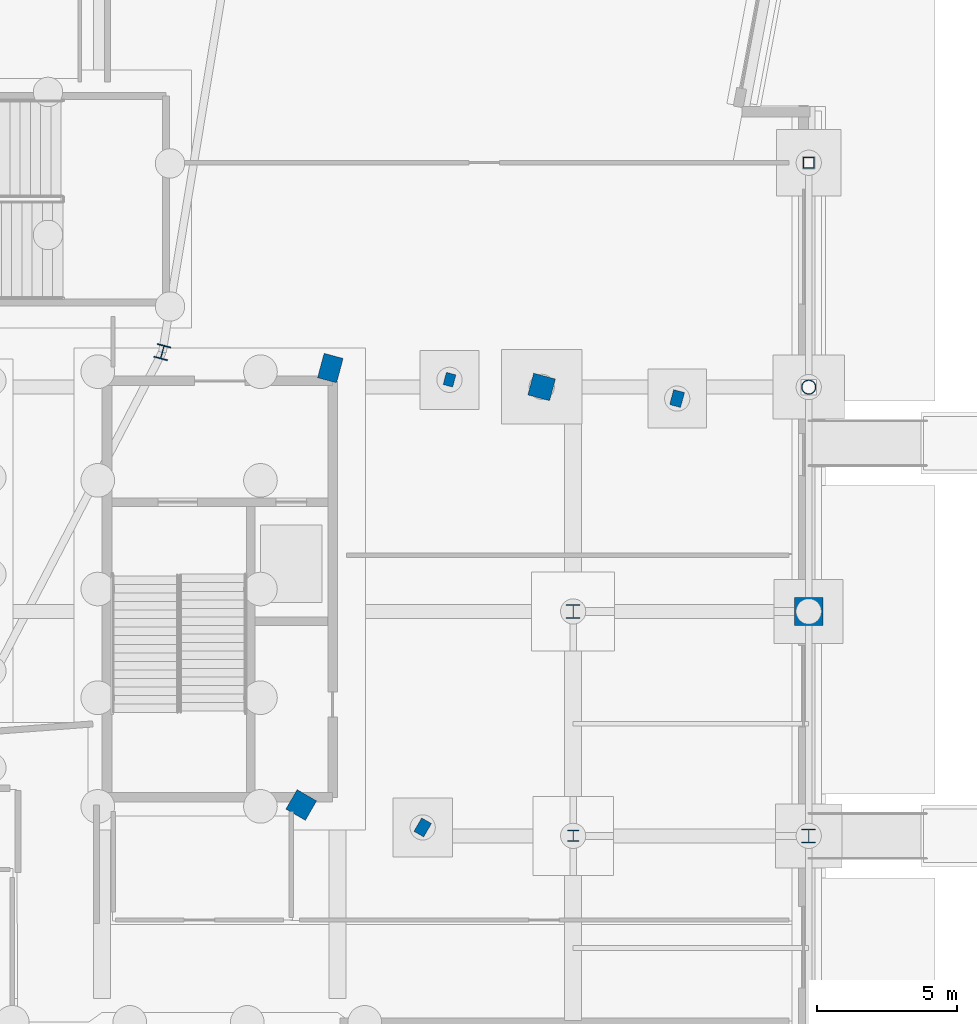
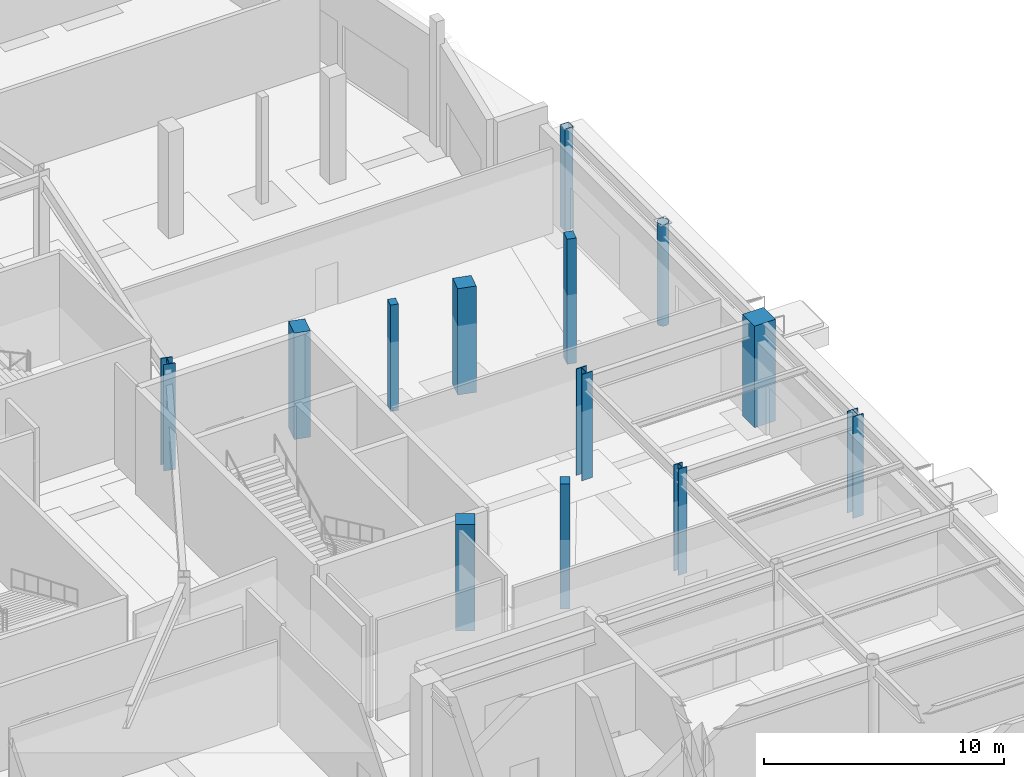
# One storey, part 29 of 93: 13 columns.
"""IFC4 building model written with IfcOpenShell, lengths in metres."""

from ifc_helpers import new_model, si_unit, direction, frame, origin, origin_2d, place, context, subcontext, project, spatial, rectangle, hollow_rectangle, hollow_circle, i_section, extrude, material, material_profile, profile_set, type_object, element, save


model = new_model("IFC4")

# Units and contexts
model_context = context("Model", 3, precision=1e-05, world=origin(), true_north=direction((0.0, 1.0)))
body_context = subcontext(model_context, "Body", "Model", "MODEL_VIEW")
ifc_project = project(units=[si_unit("LENGTHUNIT", "METRE"), si_unit("AREAUNIT", "SQUARE_METRE"), si_unit("VOLUMEUNIT", "CUBIC_METRE"), si_unit("PLANEANGLEUNIT", "RADIAN"), si_unit("MASSUNIT", "GRAM", prefix="KILO")], contexts=[model_context])

# Site, building, storey
site_placement = place(None, origin())
site = spatial("IfcSite", under=ifc_project, at=site_placement, CompositionType="ELEMENT")
building_placement = place(site_placement, origin())
building = spatial("IfcBuilding", under=site, at=building_placement, Name="Kalgoora Escarpment Arena", CompositionType="ELEMENT")
storey_placement = place(building_placement, origin())
storey = spatial("IfcBuildingStorey", under=building, at=storey_placement, Name="L00", CompositionType="ELEMENT", Elevation=0.0)

# Columns
ifc_material_1 = material(Name="Structural steel Grade 350 (350 MPa)", Category="steel")
ifc_material_profile_1 = material_profile(ifc_material_1, i_section(OverallWidth=0.39990234375, OverallDepth=0.39990234375, WebThickness=0.01806640625, FlangeThickness=0.031982421875, at=origin_2d()))
ifc_profile_set_1 = profile_set([ifc_material_profile_1], Name="Structural steel Grade 350 (350 MPa)")
column_type_1 = type_object("IfcColumnType", Name="COL-COL-400WC270", PredefinedType="COLUMN", material=ifc_profile_set_1)
column_1_placement = place(storey_placement, frame((176.39990234375, 32.0, 0.0), z_axis=(0.0, 0.0, 1.0), x_axis=(1.0, 0.0, 0.0)))
element("IfcColumn", 1, at=column_1_placement, inside=storey, type_object=column_type_1, Name="L00 structural column COL-G22-E", PredefinedType="COLUMN", context=body_context, shape_type="SweptSolid", body=[
    extrude(i_section(OverallWidth=0.39990234375, OverallDepth=0.39990234375, WebThickness=0.01806640625, FlangeThickness=0.031982421875, at=origin_2d()), origin(), (0.0, 0.0, 1.0), 5.39990234375),
])
ifc_material_2 = material(Name="Structural steel C450 (450 MPa)", Category="steel")
ifc_material_profile_2 = material_profile(ifc_material_2, hollow_rectangle(XDim=0.39990234375, YDim=0.39990234375, WallThickness=0.01611328125, at=origin_2d()))
ifc_profile_set_2 = profile_set([ifc_material_profile_2], Name="Structural steel C450 (450 MPa)")
column_type_2 = type_object("IfcColumnType", Name="COL-COL-400x400x16.0SHS", PredefinedType="COLUMN", material=ifc_profile_set_2)
column_2_placement = place(storey_placement, frame((184.800048828125, 56.0, 0.0), z_axis=(0.0, 0.0, 1.0), x_axis=(1.0, 0.0, 0.0)))
element("IfcColumn", 2, at=column_2_placement, inside=storey, type_object=column_type_2, Name="L00 structural column COL-G23-H", PredefinedType="COLUMN", context=body_context, shape_type="SweptSolid", body=[
    extrude(hollow_rectangle(XDim=0.39990234375, YDim=0.39990234375, WallThickness=0.01611328125, at=origin_2d()), origin(), (0.0, 0.0, 1.0), 5.159912109375),
])
ifc_material_3 = material(Name="Structural steel Grade 350 (350 MPa)", Category="steel")
ifc_material_profile_3 = material_profile(ifc_material_3, i_section(OverallWidth=0.5, OverallDepth=0.5, WebThickness=0.02001953125, FlangeThickness=0.034912109375, at=origin_2d()))
ifc_profile_set_3 = profile_set([ifc_material_profile_3], Name="Structural steel Grade 350 (350 MPa)")
column_type_3 = type_object("IfcColumnType", Name="COL-COL-500WC340", PredefinedType="COLUMN", material=ifc_profile_set_3)
for number, where, z_axis, x_axis, name in (
    (3, (161.75341796875, 49.247314453125, 0.0), (0.0, 0.0, 1.0), (0.965925826289, -0.258819045103, 0.0), "L00 structural column COL-RCONC2-R24"),
    (4, (176.39990234375, 40.0, 0.0), (0.0, 0.0, 1.0), (1.0, 0.0, 0.0), "L00 structural column COL-G22-F"),
):
    element("IfcColumn", number, at=place(storey_placement, frame(where, z_axis=z_axis, x_axis=x_axis)), inside=storey, type_object=column_type_3, Name=name, PredefinedType="COLUMN", context=body_context, shape_type="SweptSolid", body=[
        extrude(i_section(OverallWidth=0.5, OverallDepth=0.5, WebThickness=0.02001953125, FlangeThickness=0.034912109375, at=origin_2d()), origin(), (0.0, 0.0, 1.0), 5.39990234375),
    ])
column_3_placement = place(storey_placement, frame((184.800048828125, 32.0, 0.0), z_axis=(0.0, 0.0, 1.0), x_axis=(1.0, 0.0, 0.0)))
element("IfcColumn", 5, at=column_3_placement, inside=storey, type_object=column_type_3, Name="L00 structural column COL-G23-E", PredefinedType="COLUMN", context=body_context, shape_type="SweptSolid", body=[
    extrude(i_section(OverallWidth=0.5, OverallDepth=0.5, WebThickness=0.02001953125, FlangeThickness=0.034912109375, at=origin_2d()), origin(), (0.0, 0.0, 1.0), 5.159912109375),
])
ifc_material_4 = material(Name="Structural steel C350 (350 MPa)", Category="steel")
ifc_material_profile_4 = material_profile(ifc_material_4, hollow_circle(Radius=0.25390625, WallThickness=0.01611328125, at=origin_2d()))
ifc_profile_set_4 = profile_set([ifc_material_profile_4], Name="Structural steel C350 (350 MPa)")
column_type_4 = type_object("IfcColumnType", Name="COL-COL-508.0x16.0CHS", PredefinedType="COLUMN", material=ifc_profile_set_4)
column_4_placement = place(storey_placement, frame((184.800048828125, 48.0, 0.0), z_axis=(0.0, 0.0, 1.0), x_axis=(1.0, 0.0, 0.0)))
element("IfcColumn", 6, at=column_4_placement, inside=storey, type_object=column_type_4, Name="L00 structural column COL-G23-G", PredefinedType="COLUMN", context=body_context, shape_type="SweptSolid", body=[
    extrude(hollow_circle(Radius=0.25390625, WallThickness=0.01611328125, at=origin_2d()), origin(), (0.0, 0.0, 1.0), 5.159912109375),
])
ifc_material_5 = material(Name="Concrete N50 (fc' 50 MPa)", Category="concrete")
ifc_material_profile_5 = material_profile(ifc_material_5, rectangle(XDim=1.0, YDim=1.0, at=origin_2d()))
ifc_profile_set_5 = profile_set([ifc_material_profile_5], Name="Concrete N50 (fc' 50 MPa)")
column_type_5 = type_object("IfcColumnType", Name="COL-COL-RC1000x1000", PredefinedType="COLUMN", material=ifc_profile_set_5)
column_5_placement = place(storey_placement, frame((184.800048828125, 40.0, 0.0), z_axis=(0.0, 0.0, 1.0), x_axis=(1.0, 0.0, 0.0)))
element("IfcColumn", 7, at=column_5_placement, inside=storey, type_object=column_type_5, Name="L00 structural column COL-G23-F", PredefinedType="COLUMN", context=body_context, shape_type="SweptSolid", body=[
    extrude(rectangle(XDim=1.0, YDim=1.0, at=origin_2d()), origin(), (0.0, 0.0, 1.0), 5.159912109375),
])
ifc_material_6 = material(Name="Concrete N50 (fc' 50 MPa)", Category="concrete")
ifc_material_profile_6 = material_profile(ifc_material_6, rectangle(XDim=0.800048828125, YDim=0.800048828125, at=origin_2d()))
ifc_profile_set_6 = profile_set([ifc_material_profile_6], Name="Concrete N50 (fc' 50 MPa)")
column_type_6 = type_object("IfcColumnType", Name="COL-COL-RC800x800", PredefinedType="COLUMN", material=ifc_profile_set_6)
for number, where, z_axis, x_axis, name in (
    (8, (166.705078125, 33.10009765625, 0.0), (0.0, 0.0, 1.0), (0.866025403784, -0.5, 0.0), "L00 structural column COL-RBASE2-R23"),
    (9, (175.2763671875, 48.0048828125, 0.0), (0.0, 0.0, 1.0), (0.965925826289, -0.258819045103, 0.0), "L00 structural column COL-RBASE2-R24"),
):
    element("IfcColumn", number, at=place(storey_placement, frame(where, z_axis=z_axis, x_axis=x_axis)), inside=storey, type_object=column_type_6, Name=name, PredefinedType="COLUMN", context=body_context, shape_type="SweptSolid", body=[
        extrude(rectangle(XDim=0.800048828125, YDim=0.800048828125, at=origin_2d()), origin(), (0.0, 0.0, 1.0), 5.39990234375),
    ])
ifc_material_7 = material(Name="Concrete N50 (fc' 50 MPa)", Category="concrete")
ifc_material_profile_7 = material_profile(ifc_material_7, rectangle(XDim=0.699951171875, YDim=0.89990234375, at=origin_2d()))
ifc_profile_set_7 = profile_set([ifc_material_profile_7], Name="Concrete N50 (fc' 50 MPa)")
column_type_7 = type_object("IfcColumnType", Name="COL-COL-RC900x700", PredefinedType="COLUMN", material=ifc_profile_set_7)
column_6_placement = place(storey_placement, frame((167.7421875, 48.677978515625, 0.0), z_axis=(0.0, 0.0, 1.0), x_axis=(0.965925826289, -0.258819045103, 0.0)))
element("IfcColumn", 10, at=column_6_placement, inside=storey, type_object=column_type_7, Name="L00 structural column COL-RBASE1-R24", PredefinedType="COLUMN", context=body_context, shape_type="SweptSolid", body=[
    extrude(rectangle(XDim=0.699951171875, YDim=0.89990234375, at=origin_2d()), origin(), (0.0, 0.0, 1.0), 5.39990234375),
])
ifc_material_8 = material(Name="Precast concrete N50 (fc' 50 MPa)", Category="concrete")
ifc_material_profile_8 = material_profile(ifc_material_8, rectangle(XDim=0.35009765625, YDim=0.449951171875, at=origin_2d()))
ifc_profile_set_8 = profile_set([ifc_material_profile_8], Name="Precast concrete N50 (fc' 50 MPa)")
column_type_8 = type_object("IfcColumnType", Name="COL-PIL-PC-PILASTER-450x350", PredefinedType="PILASTER", material=ifc_profile_set_8)
column_7_placement = place(storey_placement, frame((171.991943359375, 48.263916015625, 0.0), z_axis=(0.0, 0.0, 1.0), x_axis=(0.965925826289, -0.258819045103, 0.0)))
element("IfcColumn", 11, at=column_7_placement, inside=storey, type_object=column_type_8, Name="L00 fluted pilaster PIL-069", PredefinedType="PILASTER", context=body_context, shape_type="SweptSolid", body=[
    extrude(rectangle(XDim=0.35009765625, YDim=0.449951171875, at=origin_2d()), origin(), (0.0, 0.0, 1.0), 5.39990234375),
])
ifc_material_9 = material(Name="Precast concrete N50 (fc' 50 MPa)", Category="concrete")
ifc_material_profile_9 = material_profile(ifc_material_9, rectangle(XDim=0.39990234375, YDim=0.550048828125, at=origin_2d()))
ifc_profile_set_9 = profile_set([ifc_material_profile_9], Name="Precast concrete N50 (fc' 50 MPa)")
column_type_9 = type_object("IfcColumnType", Name="COL-PIL-PC-PILASTER-550x400", PredefinedType="PILASTER", material=ifc_profile_set_9)
for number, where, z_axis, x_axis, name in (
    (12, (171.034912109375, 32.300048828125, 0.0), (0.0, 0.0, 1.0), (0.866025403784, -0.5, 0.0), "L00 fluted pilaster PIL-044"),
    (13, (180.10595703125, 47.591064453125, 0.0), (0.0, 0.0, 1.0), (0.965925826289, -0.258819045103, 0.0), "L00 fluted pilaster PIL-045"),
):
    element("IfcColumn", number, at=place(storey_placement, frame(where, z_axis=z_axis, x_axis=x_axis)), inside=storey, type_object=column_type_9, Name=name, PredefinedType="PILASTER", context=body_context, shape_type="SweptSolid", body=[
        extrude(rectangle(XDim=0.39990234375, YDim=0.550048828125, at=origin_2d()), origin(), (0.0, 0.0, 1.0), 6.35009765625),
    ])

save(model, "model.ifc")
